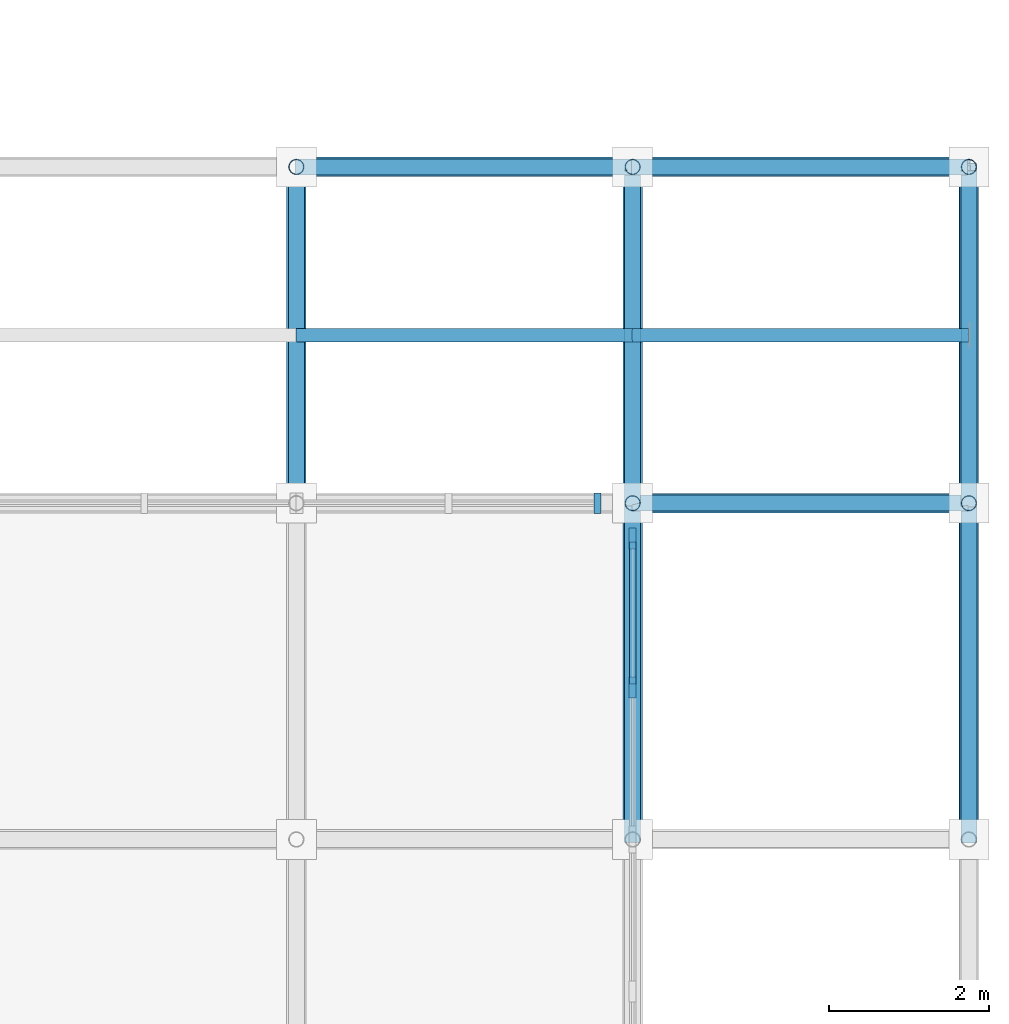
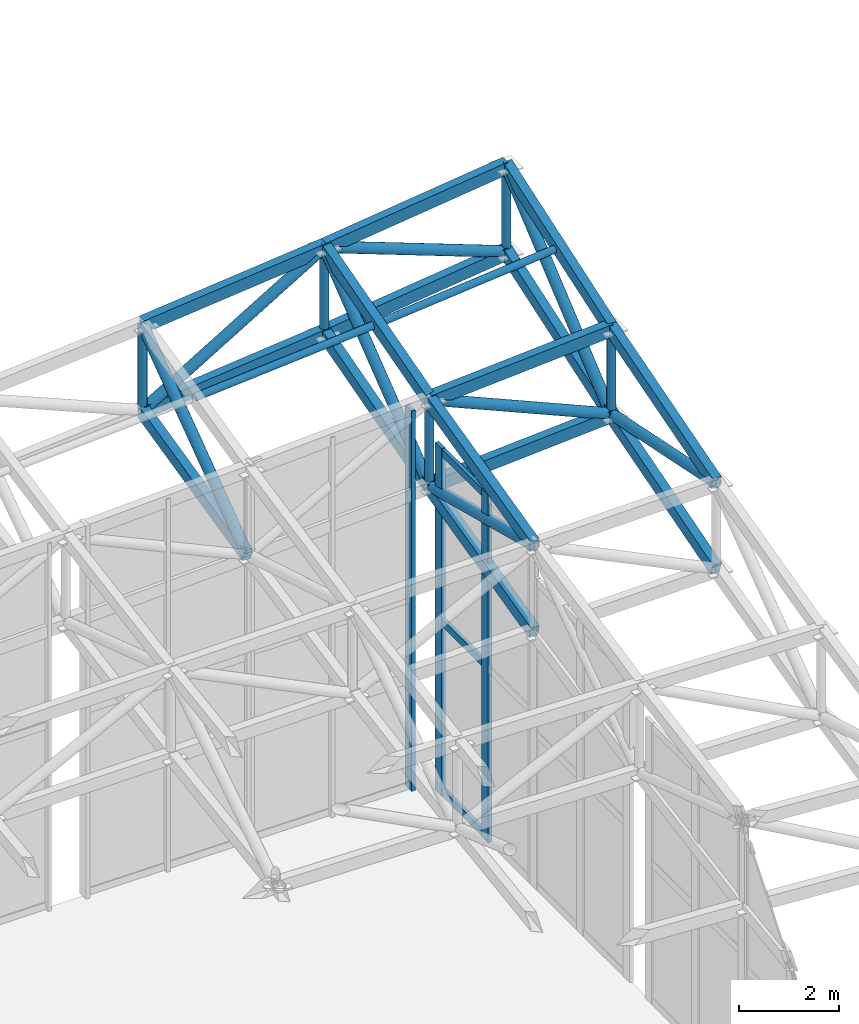
# One storey, part 58 of 123: 36 members, 2 elements without a shape of their own.
"""IFC4 building model written with IfcOpenShell, lengths in metres."""

from ifc_helpers import new_model, si_unit, direction, frame, origin, origin_2d, place, context, subcontext, project, spatial, rectangle, hollow_rectangle, hollow_circle, extrude, material, material_profile, profile_set, type_object, element, aggregate, save


model = new_model("IFC4")

# Units and contexts
model_context = context("Model", 3, precision=1e-05, world=origin(), true_north=direction((0.0, 1.0)))
body_context = subcontext(model_context, "Body", "Model", "MODEL_VIEW")
ifc_project = project(units=[si_unit("LENGTHUNIT", "METRE"), si_unit("AREAUNIT", "SQUARE_METRE"), si_unit("VOLUMEUNIT", "CUBIC_METRE"), si_unit("PLANEANGLEUNIT", "RADIAN"), si_unit("MASSUNIT", "GRAM", prefix="KILO")], contexts=[model_context])

# Site, building, storey
site_placement = place(None, origin())
site = spatial("IfcSite", under=ifc_project, at=site_placement, CompositionType="ELEMENT")
building_placement = place(site_placement, origin())
building = spatial("IfcBuilding", under=site, at=building_placement, Name="Cumbredor Promenade Congress Hotel", CompositionType="ELEMENT")
storey_placement = place(building_placement, frame((0.0, 0.0, 11.760009765625)))
storey = spatial("IfcBuildingStorey", under=building, at=storey_placement, Name="L03", CompositionType="ELEMENT", Elevation=11.760009765625)

# Members
ifc_material_1 = material(Name="Steel ASTM A500 Grade C", Category="steel")
ifc_material_profile_1 = material_profile(ifc_material_1, hollow_rectangle(XDim=0.199951171875, YDim=0.300048828125, WallThickness=0.012451171875, at=origin_2d()), Name="HSS 300x200x12.5")
ifc_profile_set_1 = profile_set([ifc_material_profile_1], Name="Steel ASTM A500 Grade C")
member_type_1 = type_object("IfcMemberType", Name="Ballroom Roof Space Frame Chord", PredefinedType="CHORD", material=ifc_profile_set_1)
for number, where, z_axis, x_axis, name in (
    (1, (184.800048828125, 67.199951171875, 9.324462890625), (0.997849616578, 0.0, 0.065544966967), (0.0, 1.0, 0.0), "Grand Ballroom Pavilion X Top Chord 12.17"),
    (2, (184.800048828125, 67.199951171875, 7.224609375), (0.997853408642, 0.0, 0.065487211437), (0.0, 1.0, 0.0), "Grand Ballroom Pavilion X Bottom Chord 12.17"),
):
    element("IfcMember", number, at=place(storey_placement, frame(where, z_axis=z_axis, x_axis=x_axis)), inside=storey, type_object=member_type_1, Name=name, PredefinedType="CHORD", context=body_context, shape_type="SweptSolid", body=[
        extrude(hollow_rectangle(XDim=0.199951171875, YDim=0.300048828125, WallThickness=0.012451171875, at=origin_2d()), origin(), (0.0, 0.0, 1.0), 4.208984375),
    ])
for number, where, z_axis, x_axis, name in (
    (3, (180.60009765625, 71.39990234375, 10.07958984375), (0.994998748006, 0.0, 0.099887393932), (0.0, 1.0, 0.0), "Grand Ballroom Pavilion X Top Chord 11.18"),
    (4, (180.60009765625, 71.39990234375, 7.979736328125), (0.995004494852, 0.0, 0.099830131844), (0.0, 1.0, 0.0), "Grand Ballroom Pavilion X Bottom Chord 11.18"),
):
    element("IfcMember", number, at=place(storey_placement, frame(where, z_axis=z_axis, x_axis=x_axis)), inside=storey, type_object=member_type_1, Name=name, PredefinedType="CHORD", context=body_context, shape_type="SweptSolid", body=[
        extrude(hollow_rectangle(XDim=0.199951171875, YDim=0.300048828125, WallThickness=0.012451171875, at=origin_2d()), origin(), (0.0, 0.0, 1.0), 4.220947265625),
    ])
for number, where, z_axis, x_axis, name in (
    (5, (184.800048828125, 71.39990234375, 10.501220703125), (0.992527036972, 0.0, 0.122024919095), (0.0, 1.0, 0.0), "Grand Ballroom Pavilion X Top Chord 12.18"),
    (6, (184.800048828125, 71.39990234375, 8.401123046875), (0.992527036972, 0.0, 0.122024919095), (0.0, 1.0, 0.0), "Grand Ballroom Pavilion X Bottom Chord 12.18"),
):
    element("IfcMember", number, at=place(storey_placement, frame(where, z_axis=z_axis, x_axis=x_axis)), inside=storey, type_object=member_type_1, Name=name, PredefinedType="CHORD", context=body_context, shape_type="SweptSolid", body=[
        extrude(hollow_rectangle(XDim=0.199951171875, YDim=0.300048828125, WallThickness=0.012451171875, at=origin_2d()), origin(), (0.0, 0.0, 1.0), 4.231689453125),
    ])
member_1_placement = place(storey_placement, frame((180.60009765625, 67.199951171875, 7.003173828125), z_axis=(0.0, 0.974016741404, 0.226476019625), x_axis=(-1.0, 0.0, 0.0)))
element("IfcMember", 7, at=member_1_placement, inside=storey, type_object=member_type_1, Name="Grand Ballroom Pavilion Y Bottom Chord 11.17", PredefinedType="CHORD", context=body_context, shape_type="SweptSolid", body=[
    extrude(hollow_rectangle(XDim=0.199951171875, YDim=0.300048828125, WallThickness=0.012451171875, at=origin_2d()), origin(), (0.0, 0.0, 1.0), 4.31201171875),
])
for number, where, z_axis, x_axis, name in (
    (8, (184.800048828125, 63.0, 8.30126953125), (0.0, 0.971583409518, 0.236697440521), (-1.0, 0.0, 0.0), "Grand Ballroom Pavilion Y Top Chord 12.16"),
    (9, (184.800048828125, 63.0, 6.201171875), (0.0, 0.971570420011, 0.236750752816), (-1.0, 0.0, 0.0), "Grand Ballroom Pavilion Y Bottom Chord 12.16"),
):
    element("IfcMember", number, at=place(storey_placement, frame(where, z_axis=z_axis, x_axis=x_axis)), inside=storey, type_object=member_type_1, Name=name, PredefinedType="CHORD", context=body_context, shape_type="SweptSolid", body=[
        extrude(hollow_rectangle(XDim=0.199951171875, YDim=0.300048828125, WallThickness=0.012451171875, at=origin_2d()), origin(), (0.0, 0.0, 1.0), 4.32275390625),
    ])
for number, where, z_axis, x_axis, name in (
    (10, (184.800048828125, 67.199951171875, 9.324462890625), (0.0, 0.962918080617, 0.269793939927), (-1.0, 0.0, 0.0), "Grand Ballroom Pavilion Y Top Chord 12.17"),
    (11, (184.800048828125, 67.199951171875, 7.224609375), (0.0, 0.962932620853, 0.269742039173), (-1.0, 0.0, 0.0), "Grand Ballroom Pavilion Y Bottom Chord 12.17"),
):
    element("IfcMember", number, at=place(storey_placement, frame(where, z_axis=z_axis, x_axis=x_axis)), inside=storey, type_object=member_type_1, Name=name, PredefinedType="CHORD", context=body_context, shape_type="SweptSolid", body=[
        extrude(hollow_rectangle(XDim=0.199951171875, YDim=0.300048828125, WallThickness=0.012451171875, at=origin_2d()), origin(), (0.0, 0.0, 1.0), 4.361572265625),
    ])
for number, where, z_axis, x_axis, name in (
    (12, (189.0, 63.0, 8.36376953125), (0.0, 0.959285548412, 0.282438022595), (-1.0, 0.0, 0.0), "Grand Ballroom Pavilion Y Top Chord 13.16"),
    (13, (189.0, 63.0, 6.263916015625), (0.0, 0.959300655549, 0.282386706952), (-1.0, 0.0, 0.0), "Grand Ballroom Pavilion Y Bottom Chord 13.16"),
):
    element("IfcMember", number, at=place(storey_placement, frame(where, z_axis=z_axis, x_axis=x_axis)), inside=storey, type_object=member_type_1, Name=name, PredefinedType="CHORD", context=body_context, shape_type="SweptSolid", body=[
        extrude(hollow_rectangle(XDim=0.199951171875, YDim=0.300048828125, WallThickness=0.012451171875, at=origin_2d()), origin(), (0.0, 0.0, 1.0), 4.378173828125),
    ])
for number, where, z_axis, x_axis, name in (
    (14, (189.0, 67.199951171875, 9.600341796875), (0.0, 0.947509174268, 0.319728579703), (-1.0, 0.0, 0.0), "Grand Ballroom Pavilion Y Top Chord 13.17"),
    (15, (189.0, 67.199951171875, 7.500244140625), (0.0, 0.947509174268, 0.319728579703), (-1.0, 0.0, 0.0), "Grand Ballroom Pavilion Y Bottom Chord 13.17"),
):
    element("IfcMember", number, at=place(storey_placement, frame(where, z_axis=z_axis, x_axis=x_axis)), inside=storey, type_object=member_type_1, Name=name, PredefinedType="CHORD", context=body_context, shape_type="SweptSolid", body=[
        extrude(hollow_rectangle(XDim=0.199951171875, YDim=0.300048828125, WallThickness=0.012451171875, at=origin_2d()), origin(), (0.0, 0.0, 1.0), 4.4326171875),
    ])

# Curtain wall, member
ifc_material_2 = material(Name="Thermally broken anodized aluminium and low-E glass", Category="aluminium")
curtain_wall_type = type_object("IfcCurtainWallType", Name="Stepped Pavilion Clerestory Curtain Wall CW-06", PredefinedType="NOTDEFINED", material=ifc_material_2)
curtain_wall_1_placement = place(storey_placement, origin())
curtain_wall_1 = element("IfcCurtainWall", 16, at=curtain_wall_1_placement, inside=storey, type_object=curtain_wall_type, Name="Grand Ballroom Pavilion N Glazed Clerestory 10", PredefinedType="NOTDEFINED")
ifc_material_3 = material(Name="Thermally broken anodized aluminium", Category="aluminium")
ifc_material_profile_2 = material_profile(ifc_material_3, rectangle(XDim=0.0849609375, YDim=0.260009765625, at=origin_2d()), Name="ALU MULLION CLERESTORY 85x260")
ifc_profile_set_2 = profile_set([ifc_material_profile_2], Name="Thermally broken anodized aluminium")
member_type_2 = type_object("IfcMemberType", Name="Curtain Wall Mullion ML-04", PredefinedType="MULLION", material=ifc_profile_set_2)
member_2_placement = place(storey_placement, frame((184.360107421875, 67.199951171875, -0.01806640625), z_axis=(0.0, 0.0, 1.0), x_axis=(1.0, 0.0, 0.0)))
member_2 = element("IfcMember", 17, at=member_2_placement, type_object=member_type_2, Name="Grand Ballroom Pavilion N Glazed Clerestory 10 Mullion 3", PredefinedType="MULLION", context=body_context, shape_type="SweptSolid", body=[
    extrude(rectangle(XDim=0.0849609375, YDim=0.260009765625, at=origin_2d()), origin(), (0.0, 0.0, 1.0), 9.29736328125),
])
aggregate(curtain_wall_1, [member_2])

# Curtain wall, members
curtain_wall_2_placement = place(storey_placement, origin())
curtain_wall_2 = element("IfcCurtainWall", 18, at=curtain_wall_2_placement, inside=storey, type_object=curtain_wall_type, Name="Grand Ballroom Pavilion E Glazed Clerestory 14", PredefinedType="NOTDEFINED")
member_3_placement = place(storey_placement, frame((184.800048828125, 64.89990234375, -0.01806640625), z_axis=(0.0, 0.0, 1.0), x_axis=(1.0, 0.0, 0.0)))
member_3 = element("IfcMember", 19, at=member_3_placement, type_object=member_type_2, Name="Grand Ballroom Pavilion E Glazed Clerestory 14 Mullion 2", PredefinedType="MULLION", context=body_context, shape_type="SweptSolid", body=[
    extrude(rectangle(XDim=0.0849609375, YDim=0.260009765625, at=origin_2d()), origin(), (0.0, 0.0, 1.0), 8.495361328125),
])
member_4_placement = place(storey_placement, frame((184.800048828125, 66.760009765625, -0.01806640625), z_axis=(0.0, 0.0, 1.0), x_axis=(1.0, 0.0, 0.0)))
member_4 = element("IfcMember", 20, at=member_4_placement, type_object=member_type_2, Name="Grand Ballroom Pavilion E Glazed Clerestory 14 Mullion 3", PredefinedType="MULLION", context=body_context, shape_type="SweptSolid", body=[
    extrude(rectangle(XDim=0.0849609375, YDim=0.260009765625, at=origin_2d()), origin(), (0.0, 0.0, 1.0), 8.495361328125),
])
ifc_material_profile_3 = material_profile(ifc_material_3, rectangle(XDim=0.080078125, YDim=0.179931640625, at=origin_2d()), Name="ALU TRANSOM 80x180")
ifc_profile_set_3 = profile_set([ifc_material_profile_3], Name="Thermally broken anodized aluminium")
member_type_3 = type_object("IfcMemberType", Name="Curtain Wall Transom TR-03", PredefinedType="USERDEFINED", material=ifc_profile_set_3)
member_5_placement = place(storey_placement, frame((184.800048828125, 64.9423828125, 0.080078125), z_axis=(0.0, 1.0, 0.0), x_axis=(-1.0, 0.0, 0.0)))
member_5 = element("IfcMember", 21, at=member_5_placement, type_object=member_type_3, Name="Grand Ballroom Pavilion E Glazed Clerestory 14 Transom 2.1", ObjectType="TRANSOM", PredefinedType="USERDEFINED", context=body_context, shape_type="SweptSolid", body=[
    extrude(rectangle(XDim=0.080078125, YDim=0.179931640625, at=origin_2d()), origin(), (0.0, 0.0, 1.0), 1.775146484375),
])
member_6_placement = place(storey_placement, frame((184.800048828125, 64.9423828125, 4.22998046875), z_axis=(0.0, 1.0, 0.0), x_axis=(-1.0, 0.0, 0.0)))
member_6 = element("IfcMember", 22, at=member_6_placement, type_object=member_type_3, Name="Grand Ballroom Pavilion E Glazed Clerestory 14 Transom 2.2", ObjectType="TRANSOM", PredefinedType="USERDEFINED", context=body_context, shape_type="SweptSolid", body=[
    extrude(rectangle(XDim=0.080078125, YDim=0.179931640625, at=origin_2d()), origin(), (0.0, 0.0, 1.0), 1.775146484375),
])
member_7_placement = place(storey_placement, frame((184.800048828125, 64.9423828125, 8.3798828125), z_axis=(0.0, 1.0, 0.0), x_axis=(-1.0, 0.0, 0.0)))
member_7 = element("IfcMember", 23, at=member_7_placement, type_object=member_type_3, Name="Grand Ballroom Pavilion E Glazed Clerestory 14 Transom 2.3", ObjectType="TRANSOM", PredefinedType="USERDEFINED", context=body_context, shape_type="SweptSolid", body=[
    extrude(rectangle(XDim=0.080078125, YDim=0.179931640625, at=origin_2d()), origin(), (0.0, 0.0, 1.0), 1.775146484375),
])
aggregate(curtain_wall_2, [member_3, member_4, member_5, member_6, member_7])

# Members
ifc_material_profile_4 = material_profile(ifc_material_1, hollow_circle(Radius=0.084228515625, WallThickness=0.010009765625, at=origin_2d()), Name="CHS 168.3x10")
ifc_profile_set_4 = profile_set([ifc_material_profile_4], Name="Steel ASTM A500 Grade C")
member_type_4 = type_object("IfcMemberType", Name="Roof Purlin CHS168", PredefinedType="PURLIN", material=ifc_profile_set_4)
member_8_placement = place(storey_placement, frame((180.60009765625, 69.300048828125, 9.571533203125), z_axis=(0.997086786034, 0.0, 0.07627542931), x_axis=(0.0, 1.0, 0.0)))
element("IfcMember", 24, at=member_8_placement, inside=storey, type_object=member_type_4, Name="Grand Ballroom Pavilion Roof Eave Purlin 11.17", PredefinedType="PURLIN", context=body_context, shape_type="SweptSolid", body=[
    extrude(hollow_circle(Radius=0.084228515625, WallThickness=0.010009765625, at=origin_2d()), origin(), (0.0, 0.0, 1.0), 4.212158203125),
])
member_9_placement = place(storey_placement, frame((184.800048828125, 69.300048828125, 9.892822265625), z_axis=(0.99557909429, 0.0, 0.093926923794), x_axis=(0.0, 1.0, 0.0)))
element("IfcMember", 25, at=member_9_placement, inside=storey, type_object=member_type_4, Name="Grand Ballroom Pavilion Roof Eave Purlin 12.17", PredefinedType="PURLIN", context=body_context, shape_type="SweptSolid", body=[
    extrude(hollow_circle(Radius=0.084228515625, WallThickness=0.010009765625, at=origin_2d()), origin(), (0.0, 0.0, 1.0), 4.218505859375),
])
ifc_material_profile_5 = material_profile(ifc_material_1, hollow_circle(Radius=0.122314453125, WallThickness=0.012451171875, at=origin_2d()), Name="CHS 244.5x12.5")
ifc_profile_set_5 = profile_set([ifc_material_profile_5], Name="Steel ASTM A500 Grade C")
member_type_5 = type_object("IfcMemberType", Name="Space Frame Web Diagonal D2", PredefinedType="BRACE", material=ifc_profile_set_5)
member_10_placement = place(storey_placement, frame((184.800048828125, 67.199951171875, 9.324462890625), z_axis=(0.917217484925, 0.0, -0.398386853884), x_axis=(0.0, 1.0, 0.0)))
element("IfcMember", 26, at=member_10_placement, inside=storey, type_object=member_type_5, Name="Grand Ballroom Pavilion X Web Diagonal 12.17", PredefinedType="BRACE", context=body_context, shape_type="SweptSolid", body=[
    extrude(hollow_circle(Radius=0.122314453125, WallThickness=0.012451171875, at=origin_2d()), origin(), (0.0, 0.0, 1.0), 4.5791015625),
])
member_11_placement = place(storey_placement, frame((180.60009765625, 71.39990234375, 7.979736328125), z_axis=(0.857356575064, 0.0, 0.514722938282), x_axis=(0.0, 1.0, 0.0)))
element("IfcMember", 27, at=member_11_placement, inside=storey, type_object=member_type_5, Name="Grand Ballroom Pavilion X Web Diagonal 11.18", PredefinedType="BRACE", context=body_context, shape_type="SweptSolid", body=[
    extrude(hollow_circle(Radius=0.122314453125, WallThickness=0.012451171875, at=origin_2d()), origin(), (0.0, 0.0, 1.0), 4.898681640625),
])
member_12_placement = place(storey_placement, frame((184.800048828125, 71.39990234375, 10.501220703125), z_axis=(0.935686100602, 0.0, -0.352833560112), x_axis=(0.0, 1.0, 0.0)))
element("IfcMember", 28, at=member_12_placement, inside=storey, type_object=member_type_5, Name="Grand Ballroom Pavilion X Web Diagonal 12.18", PredefinedType="BRACE", context=body_context, shape_type="SweptSolid", body=[
    extrude(hollow_circle(Radius=0.122314453125, WallThickness=0.012451171875, at=origin_2d()), origin(), (0.0, 0.0, 1.0), 4.488525390625),
])
member_13_placement = place(storey_placement, frame((180.60009765625, 67.199951171875, 7.003173828125), z_axis=(0.0, 0.8067298843, 0.590920378543), x_axis=(-1.0, 0.0, 0.0)))
element("IfcMember", 29, at=member_13_placement, inside=storey, type_object=member_type_5, Name="Grand Ballroom Pavilion Y Web Diagonal 11.17", PredefinedType="BRACE", context=body_context, shape_type="SweptSolid", body=[
    extrude(hollow_circle(Radius=0.122314453125, WallThickness=0.012451171875, at=origin_2d()), origin(), (0.0, 0.0, 1.0), 5.2060546875),
])
member_14_placement = place(storey_placement, frame((184.800048828125, 63.0, 8.30126953125), z_axis=(0.0, 0.968677759322, -0.248321160182), x_axis=(-1.0, 0.0, 0.0)))
element("IfcMember", 30, at=member_14_placement, inside=storey, type_object=member_type_5, Name="Grand Ballroom Pavilion Y Web Diagonal 12.16", PredefinedType="BRACE", context=body_context, shape_type="SweptSolid", body=[
    extrude(hollow_circle(Radius=0.122314453125, WallThickness=0.012451171875, at=origin_2d()), origin(), (0.0, 0.0, 1.0), 4.335693359375),
])
member_15_placement = place(storey_placement, frame((184.800048828125, 67.199951171875, 7.224609375), z_axis=(0.0, 0.788443180474, 0.615107593161), x_axis=(-1.0, 0.0, 0.0)))
element("IfcMember", 31, at=member_15_placement, inside=storey, type_object=member_type_5, Name="Grand Ballroom Pavilion Y Web Diagonal 12.17", PredefinedType="BRACE", context=body_context, shape_type="SweptSolid", body=[
    extrude(hollow_circle(Radius=0.122314453125, WallThickness=0.012451171875, at=origin_2d()), origin(), (0.0, 0.0, 1.0), 5.326904296875),
])
member_16_placement = place(storey_placement, frame((189.0, 63.0, 8.36376953125), z_axis=(0.0, 0.979510922515, -0.201391044175), x_axis=(-1.0, 0.0, 0.0)))
element("IfcMember", 32, at=member_16_placement, inside=storey, type_object=member_type_5, Name="Grand Ballroom Pavilion Y Web Diagonal 13.16", PredefinedType="BRACE", context=body_context, shape_type="SweptSolid", body=[
    extrude(hollow_circle(Radius=0.122314453125, WallThickness=0.012451171875, at=origin_2d()), origin(), (0.0, 0.0, 1.0), 4.287841796875),
])
member_17_placement = place(storey_placement, frame((189.0, 67.199951171875, 7.500244140625), z_axis=(0.0, 0.766659209077, 0.642054247815), x_axis=(-1.0, 0.0, 0.0)))
element("IfcMember", 33, at=member_17_placement, inside=storey, type_object=member_type_5, Name="Grand Ballroom Pavilion Y Web Diagonal 13.17", PredefinedType="BRACE", context=body_context, shape_type="SweptSolid", body=[
    extrude(hollow_circle(Radius=0.122314453125, WallThickness=0.012451171875, at=origin_2d()), origin(), (0.0, 0.0, 1.0), 5.478271484375),
])
ifc_material_profile_6 = material_profile(ifc_material_1, hollow_circle(Radius=0.096923828125, WallThickness=0.010009765625, at=origin_2d()), Name="CHS 193.7x10")
ifc_profile_set_6 = profile_set([ifc_material_profile_6], Name="Steel ASTM A500 Grade C")
member_type_6 = type_object("IfcMemberType", Name="Space Frame Web Post P1", PredefinedType="BRACE", material=ifc_profile_set_6)
for number, where, z_axis, x_axis, name in (
    (34, (180.60009765625, 71.39990234375, 7.979736328125), (0.0, 0.0, 1.0), (1.0, 0.0, 0.0), "Grand Ballroom Pavilion Space Frame Web Post 11.18"),
    (35, (184.800048828125, 67.199951171875, 7.224609375), (0.0, 0.0, 1.0), (1.0, 0.0, 0.0), "Grand Ballroom Pavilion Space Frame Web Post 12.17"),
):
    element("IfcMember", number, at=place(storey_placement, frame(where, z_axis=z_axis, x_axis=x_axis)), inside=storey, type_object=member_type_6, Name=name, PredefinedType="BRACE", context=body_context, shape_type="SweptSolid", body=[
        extrude(hollow_circle(Radius=0.096923828125, WallThickness=0.010009765625, at=origin_2d()), origin(), (0.0, 0.0, 1.0), 2.099853515625),
    ])
for number, where, z_axis, x_axis, name in (
    (36, (184.800048828125, 71.39990234375, 8.401123046875), (0.0, 0.0, 1.0), (1.0, 0.0, 0.0), "Grand Ballroom Pavilion Space Frame Web Post 12.18"),
    (37, (189.0, 67.199951171875, 7.500244140625), (0.0, 0.0, 1.0), (1.0, 0.0, 0.0), "Grand Ballroom Pavilion Space Frame Web Post 13.17"),
    (38, (189.0, 71.39990234375, 8.91748046875), (0.0, 0.0, 1.0), (1.0, 0.0, 0.0), "Grand Ballroom Pavilion Space Frame Web Post 13.18"),
):
    element("IfcMember", number, at=place(storey_placement, frame(where, z_axis=z_axis, x_axis=x_axis)), inside=storey, type_object=member_type_6, Name=name, PredefinedType="BRACE", context=body_context, shape_type="SweptSolid", body=[
        extrude(hollow_circle(Radius=0.096923828125, WallThickness=0.010009765625, at=origin_2d()), origin(), (0.0, 0.0, 1.0), 2.10009765625),
    ])

save(model, "model.ifc")
